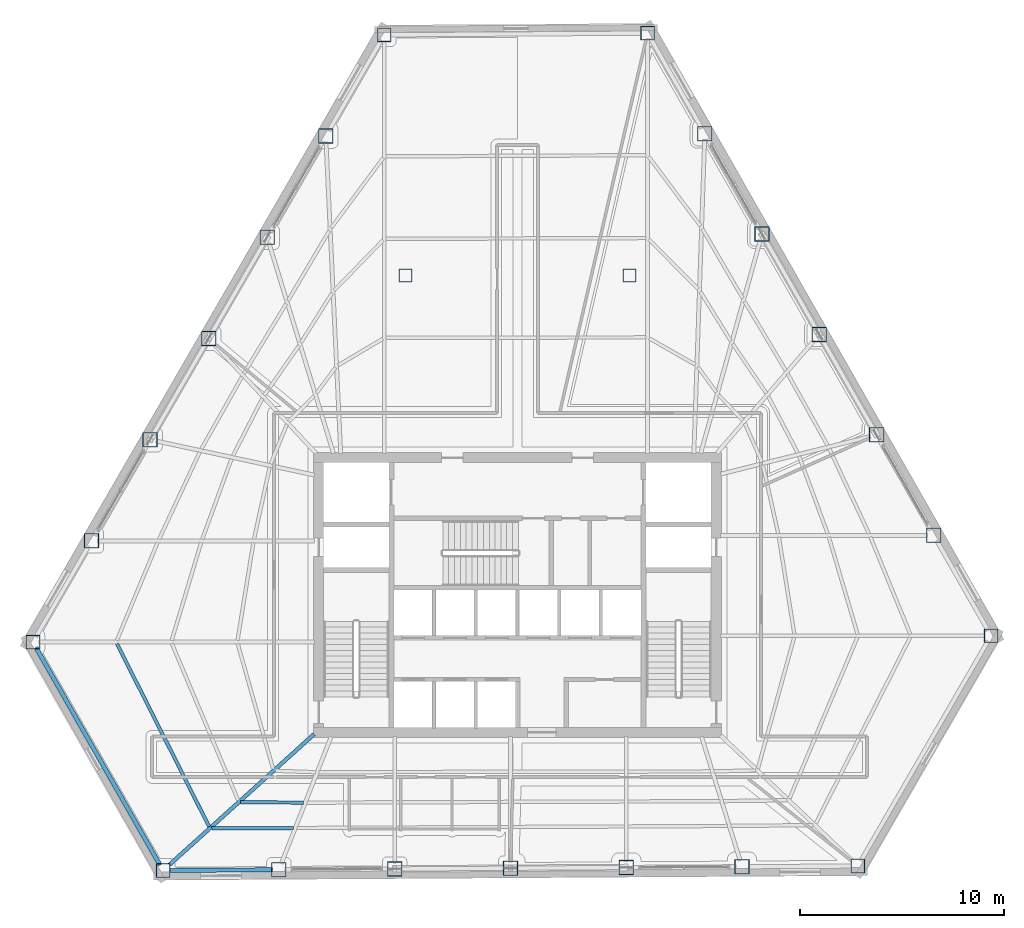
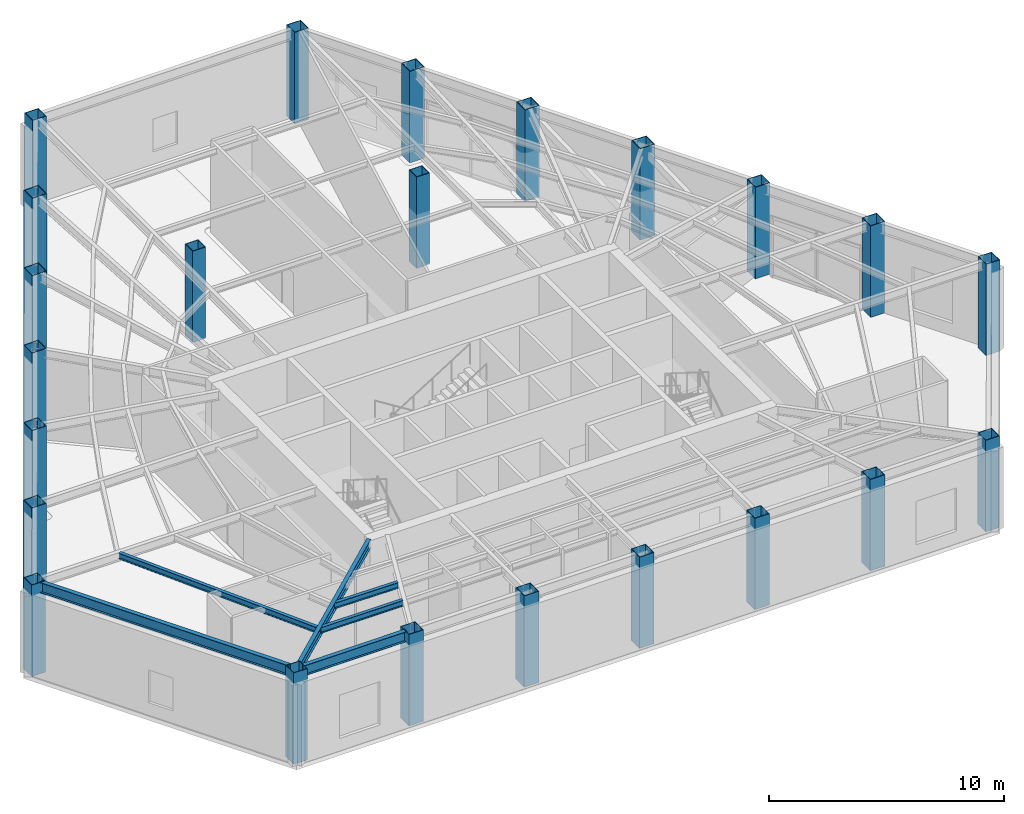
# One storey, part 1 of 14: 23 columns, 6 beams.
"""IFC4 building model written with IfcOpenShell, lengths in metres."""

from ifc_helpers import new_model, si_unit, direction, frame, origin, origin_2d, place, context, subcontext, project, spatial, hollow_rectangle, i_section, extrude, material, material_profile, profile_set, type_object, element, save


model = new_model("IFC4")

# Units and contexts
model_context = context("Model", 3, precision=1e-05, world=origin(), true_north=direction((0.0, 1.0)))
body_context = subcontext(model_context, "Body", "Model", "MODEL_VIEW")
ifc_project = project(units=[si_unit("LENGTHUNIT", "METRE"), si_unit("AREAUNIT", "SQUARE_METRE"), si_unit("VOLUMEUNIT", "CUBIC_METRE"), si_unit("PLANEANGLEUNIT", "RADIAN"), si_unit("MASSUNIT", "GRAM", prefix="KILO")], contexts=[model_context])

# Site, building, storey
site_placement = place(None, origin())
site = spatial("IfcSite", under=ifc_project, at=site_placement, CompositionType="ELEMENT")
building_placement = place(site_placement, origin())
building = spatial("IfcBuilding", under=site, at=building_placement, Name="Kavelnor Concourse Tower", CompositionType="ELEMENT")
storey_placement = place(building_placement, frame((0.0, 0.0, 80.5)))
storey = spatial("IfcBuildingStorey", under=building, at=storey_placement, Name="L20", CompositionType="ELEMENT", Elevation=80.5)

# Columns
ifc_material = material(Name="Steel Grade 350", Category="steel")
ifc_material_profile_1 = material_profile(ifc_material, hollow_rectangle(XDim=0.679931640625, YDim=0.679931640625, WallThickness=0.030029296875, at=origin_2d()), Name="SHS 680x680x30")
ifc_profile_set_1 = profile_set([ifc_material_profile_1], Name="Steel Grade 350")
column_type_1 = type_object("IfcColumnType", Name="COL-FOLD-Z2", PredefinedType="COLUMN", material=ifc_profile_set_1)
for number, where, z_axis, x_axis, name in (
    (1, (31.457763671875, 43.622802734375, 0.0), (0.0, 0.0, 1.0), (1.0, 0.0, 0.0), "L20 Perimeter Corner-Fold Column F0-B0"),
    (2, (14.195556640625, 13.785888671875, 0.0), (0.0, 0.0, 1.0), (1.0, 0.0, 0.0), "L20 Perimeter Corner-Fold Column F0-B6"),
    (3, (20.590087890625, 2.56787109375, 0.0), (0.0, 0.0, 1.0), (1.0, 0.0, 0.0), "L20 Perimeter Corner-Fold Column F1-B0"),
    (4, (54.723876953125, 2.786865234375, 0.0), (0.0, 0.0, 1.0), (1.0, 0.0, 0.0), "L20 Perimeter Corner-Fold Column F1-B6"),
    (5, (61.268310546875, 14.09912109375, 0.0), (0.0, 0.0, 1.0), (1.0, 0.0, 0.0), "L20 Perimeter Corner-Fold Column F2-B0"),
    (6, (44.39208984375, 43.705810546875, 0.0), (0.0, 0.0, 1.0), (1.0, 0.0, 0.0), "L20 Perimeter Corner-Fold Column F2-B6"),
):
    element("IfcColumn", number, at=place(storey_placement, frame(where, z_axis=z_axis, x_axis=x_axis)), inside=storey, type_object=column_type_1, Name=name, PredefinedType="COLUMN", context=body_context, shape_type="SweptSolid", body=[
        extrude(hollow_rectangle(XDim=0.679931640625, YDim=0.679931640625, WallThickness=0.030029296875, at=origin_2d()), origin(), (0.0, 0.0, 1.0), 4.75),
    ])
ifc_material_profile_2 = material_profile(ifc_material, hollow_rectangle(XDim=0.719970703125, YDim=0.719970703125, WallThickness=0.031982421875, at=origin_2d()), Name="SHS 720x720x32")
ifc_profile_set_2 = profile_set([ifc_material_profile_2], Name="Steel Grade 350")
column_type_2 = type_object("IfcColumnType", Name="COL-TUBE-Z2", PredefinedType="COLUMN", material=ifc_profile_set_2)
for number, where, z_axis, x_axis, name in (
    (7, (28.580810546875, 38.64990234375, 0.0), (0.0, 0.0, 1.0), (1.0, 0.0, 0.0), "L20 Perimeter Framed-Tube Column F0-B1"),
    (8, (25.70361328125, 33.67724609375, 0.0), (0.0, 0.0, 1.0), (1.0, 0.0, 0.0), "L20 Perimeter Framed-Tube Column F0-B2"),
    (9, (22.82666015625, 28.704345703125, 0.0), (0.0, 0.0, 1.0), (1.0, 0.0, 0.0), "L20 Perimeter Framed-Tube Column F0-B3"),
    (10, (19.94970703125, 23.731689453125, 0.0), (0.0, 0.0, 1.0), (1.0, 0.0, 0.0), "L20 Perimeter Framed-Tube Column F0-B4"),
    (11, (17.072509765625, 18.7587890625, 0.0), (0.0, 0.0, 1.0), (1.0, 0.0, 0.0), "L20 Perimeter Framed-Tube Column F0-B5"),
    (12, (26.279052734375, 2.604248046875, 0.0), (0.0, 0.0, 1.0), (1.0, 0.0, 0.0), "L20 Perimeter Framed-Tube Column F1-B1"),
    (13, (31.968017578125, 2.640869140625, 0.0), (0.0, 0.0, 1.0), (1.0, 0.0, 0.0), "L20 Perimeter Framed-Tube Column F1-B2"),
    (14, (37.656982421875, 2.677490234375, 0.0), (0.0, 0.0, 1.0), (1.0, 0.0, 0.0), "L20 Perimeter Framed-Tube Column F1-B3"),
    (15, (43.345947265625, 2.7138671875, 0.0), (0.0, 0.0, 1.0), (1.0, 0.0, 0.0), "L20 Perimeter Framed-Tube Column F1-B4"),
    (16, (49.034912109375, 2.75048828125, 0.0), (0.0, 0.0, 1.0), (1.0, 0.0, 0.0), "L20 Perimeter Framed-Tube Column F1-B5"),
    (17, (58.455810546875, 19.033447265625, 0.0), (0.0, 0.0, 1.0), (1.0, 0.0, 0.0), "L20 Perimeter Framed-Tube Column F2-B1"),
    (18, (55.64306640625, 23.968017578125, 0.0), (0.0, 0.0, 1.0), (1.0, 0.0, 0.0), "L20 Perimeter Framed-Tube Column F2-B2"),
    (19, (52.830322265625, 28.90234375, 0.0), (0.0, 0.0, 1.0), (1.0, 0.0, 0.0), "L20 Perimeter Framed-Tube Column F2-B3"),
    (20, (50.017578125, 33.8369140625, 0.0), (0.0, 0.0, 1.0), (1.0, 0.0, 0.0), "L20 Perimeter Framed-Tube Column F2-B4"),
    (21, (47.204833984375, 38.771240234375, 0.0), (0.0, 0.0, 1.0), (1.0, 0.0, 0.0), "L20 Perimeter Framed-Tube Column F2-B5"),
):
    element("IfcColumn", number, at=place(storey_placement, frame(where, z_axis=z_axis, x_axis=x_axis)), inside=storey, type_object=column_type_2, Name=name, PredefinedType="COLUMN", context=body_context, shape_type="SweptSolid", body=[
        extrude(hollow_rectangle(XDim=0.719970703125, YDim=0.719970703125, WallThickness=0.031982421875, at=origin_2d()), origin(), (0.0, 0.0, 1.0), 4.75),
    ])
ifc_material_profile_3 = material_profile(ifc_material, hollow_rectangle(XDim=0.639892578125, YDim=0.639892578125, WallThickness=0.028076171875, at=origin_2d()), Name="SHS 640x640x28")
ifc_profile_set_3 = profile_set([ifc_material_profile_3], Name="Steel Grade 350")
column_type_3 = type_object("IfcColumnType", Name="COL-TUBE-Z3", PredefinedType="COLUMN", material=ifc_profile_set_3)
for number, where, z_axis, x_axis, name in (
    (22, (32.5, 31.800048828125, 0.0), (0.0, 0.0, 1.0), (1.0, 0.0, 0.0), "L20 North Interior Gravity Column BC-NW"),
    (23, (43.5, 31.800048828125, 0.0), (0.0, 0.0, 1.0), (1.0, 0.0, 0.0), "L20 North Interior Gravity Column BC-NE"),
):
    element("IfcColumn", number, at=place(storey_placement, frame(where, z_axis=z_axis, x_axis=x_axis)), inside=storey, type_object=column_type_3, Name=name, PredefinedType="COLUMN", context=body_context, shape_type="SweptSolid", body=[
        extrude(hollow_rectangle(XDim=0.639892578125, YDim=0.639892578125, WallThickness=0.028076171875, at=origin_2d()), origin(), (0.0, 0.0, 1.0), 4.75),
    ])

# Beams
ifc_material_profile_4 = material_profile(ifc_material, i_section(OverallWidth=0.166015625, OverallDepth=0.306884765625, WebThickness=0.006591796875, FlangeThickness=0.01171875, at=origin_2d()), Name="310UB46")
ifc_profile_set_4 = profile_set([ifc_material_profile_4], Name="Steel Grade 350")
beam_type_1 = type_object("IfcBeamType", Name="BM-JOIST-310", PredefinedType="JOIST", material=ifc_profile_set_4)
beam_1_placement = place(storey_placement, frame((18.322509765625, 13.70654296875, 4.596435546875), z_axis=(0.450162249179, -0.892946778601, 0.0), x_axis=(0.892946778601, 0.450162249179, 0.0)))
element("IfcBeam", 24, at=beam_1_placement, inside=storey, type_object=beam_type_1, Name="L20 Secondary Composite Joist 01-3", PredefinedType="JOIST", context=body_context, shape_type="SweptSolid", body=[
    extrude(i_section(OverallWidth=0.166015625, OverallDepth=0.306884765625, WebThickness=0.006591796875, FlangeThickness=0.01171875, at=origin_2d()), origin(), (0.0, 0.0, 1.0), 10.059814453125),
])
beam_2_placement = place(storey_placement, frame((24.40185546875, 5.926513671875, 4.596435546875), z_axis=(0.999958496732, -0.00911069776, 0.0), x_axis=(0.00911069776, 0.999958496732, 0.0)))
element("IfcBeam", 25, at=beam_2_placement, inside=storey, type_object=beam_type_1, Name="L20 Secondary Composite Joist 02-2", PredefinedType="JOIST", context=body_context, shape_type="SweptSolid", body=[
    extrude(i_section(OverallWidth=0.166015625, OverallDepth=0.306884765625, WebThickness=0.006591796875, FlangeThickness=0.01171875, at=origin_2d()), origin(), (0.0, 0.0, 1.0), 3.081787109375),
])
beam_3_placement = place(storey_placement, frame((22.97998046875, 4.644287109375, 4.596435546875), z_axis=(0.999998444551, 0.001763772953, 0.0), x_axis=(-0.001763772953, 0.999998444551, 0.0)))
element("IfcBeam", 26, at=beam_3_placement, inside=storey, type_object=beam_type_1, Name="L20 Secondary Composite Joist 02-3", PredefinedType="JOIST", context=body_context, shape_type="SweptSolid", body=[
    extrude(i_section(OverallWidth=0.166015625, OverallDepth=0.306884765625, WebThickness=0.006591796875, FlangeThickness=0.01171875, at=origin_2d()), origin(), (0.0, 0.0, 1.0), 4.01416015625),
])
ifc_material_profile_5 = material_profile(ifc_material, i_section(OverallWidth=0.18994140625, OverallDepth=0.4541015625, WebThickness=0.008544921875, FlangeThickness=0.0126953125, at=origin_2d()), Name="460UB67")
ifc_profile_set_5 = profile_set([ifc_material_profile_5], Name="Steel Grade 350")
beam_type_2 = type_object("IfcBeamType", Name="BM-PRIMARY-460", PredefinedType="BEAM", material=ifc_profile_set_5)
beam_4_placement = place(storey_placement, frame((28.009765625, 9.263427734375, 4.52294921875), z_axis=(-0.742406107175, -0.669950126523, 0.0), x_axis=(0.669950126523, -0.742406107175, 0.0)))
element("IfcBeam", 27, at=beam_4_placement, inside=storey, type_object=beam_type_2, Name="L20 Primary Floor Girder F1-B0", PredefinedType="BEAM", context=body_context, shape_type="SweptSolid", body=[
    extrude(i_section(OverallWidth=0.18994140625, OverallDepth=0.4541015625, WebThickness=0.008544921875, FlangeThickness=0.0126953125, at=origin_2d()), origin(), (0.0, 0.0, 1.0), 9.576171875),
])
ifc_material_profile_6 = material_profile(ifc_material, i_section(OverallWidth=0.208984375, OverallDepth=0.532958984375, WebThickness=0.01025390625, FlangeThickness=0.015625, at=origin_2d()), Name="530UB92")
ifc_profile_set_6 = profile_set([ifc_material_profile_6], Name="Steel Grade 350")
beam_type_3 = type_object("IfcBeamType", Name="BM-SPANDREL-Z2", PredefinedType="SPANDREL", material=ifc_profile_set_6)
beam_5_placement = place(storey_placement, frame((20.895263671875, 2.56982421875, 4.4833984375), z_axis=(0.999979563429, 0.006393178, 0.0), x_axis=(-0.006393178, 0.999979563429, 0.0)))
element("IfcBeam", 28, at=beam_5_placement, inside=storey, type_object=beam_type_3, Name="L20 Perimeter Tube Spandrel Beam F1-B0", PredefinedType="SPANDREL", context=body_context, shape_type="SweptSolid", body=[
    extrude(i_section(OverallWidth=0.208984375, OverallDepth=0.532958984375, WebThickness=0.01025390625, FlangeThickness=0.015625, at=origin_2d()), origin(), (0.0, 0.0, 1.0), 5.078857421875),
])
beam_6_placement = place(storey_placement, frame((14.3466796875, 13.52099609375, 4.4833984375), z_axis=(0.495217572652, -0.868768988705, 0.0), x_axis=(0.868768988705, 0.495217572652, 0.0)))
element("IfcBeam", 29, at=beam_6_placement, inside=storey, type_object=beam_type_3, Name="L20 Chamfer Facet Spandrel Beam C1", PredefinedType="SPANDREL", context=body_context, shape_type="SweptSolid", body=[
    extrude(i_section(OverallWidth=0.208984375, OverallDepth=0.532958984375, WebThickness=0.01025390625, FlangeThickness=0.015625, at=origin_2d()), origin(), (0.0, 0.0, 1.0), 12.302734375),
])

save(model, "model.ifc")
